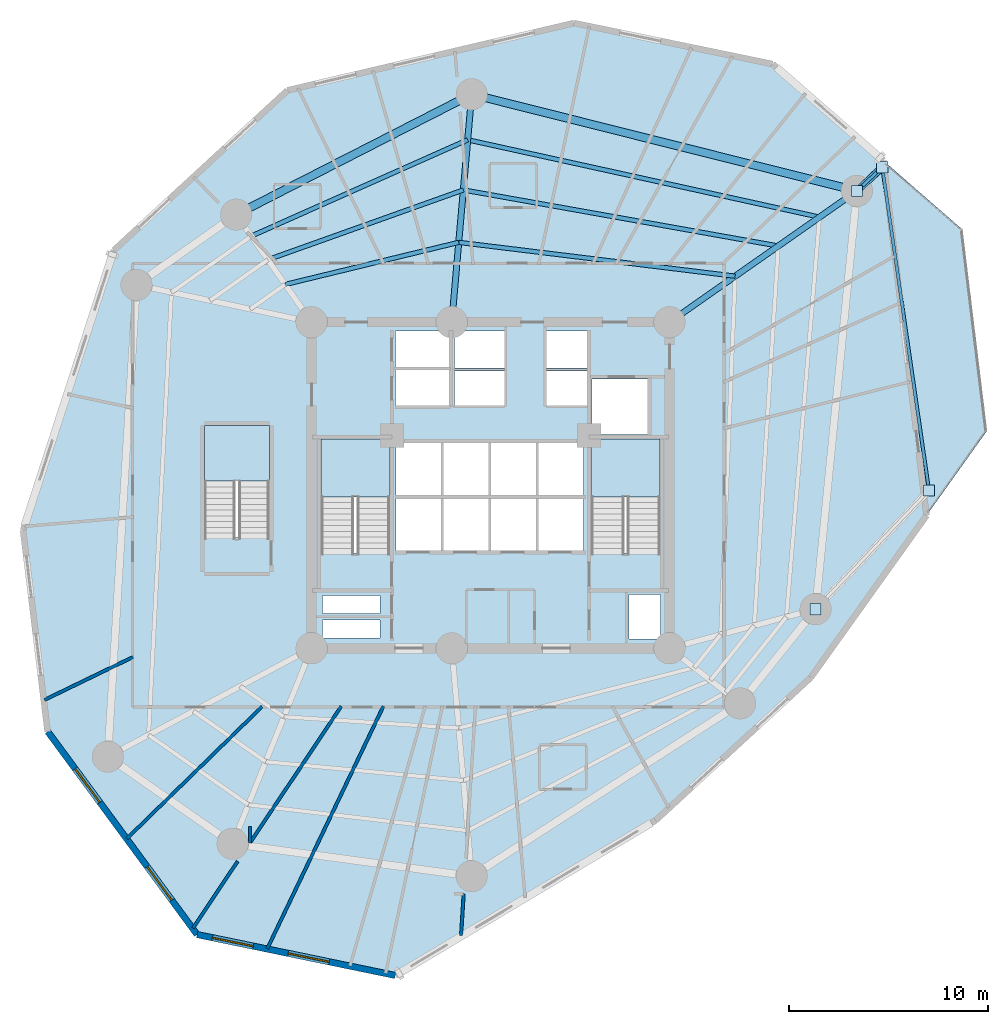
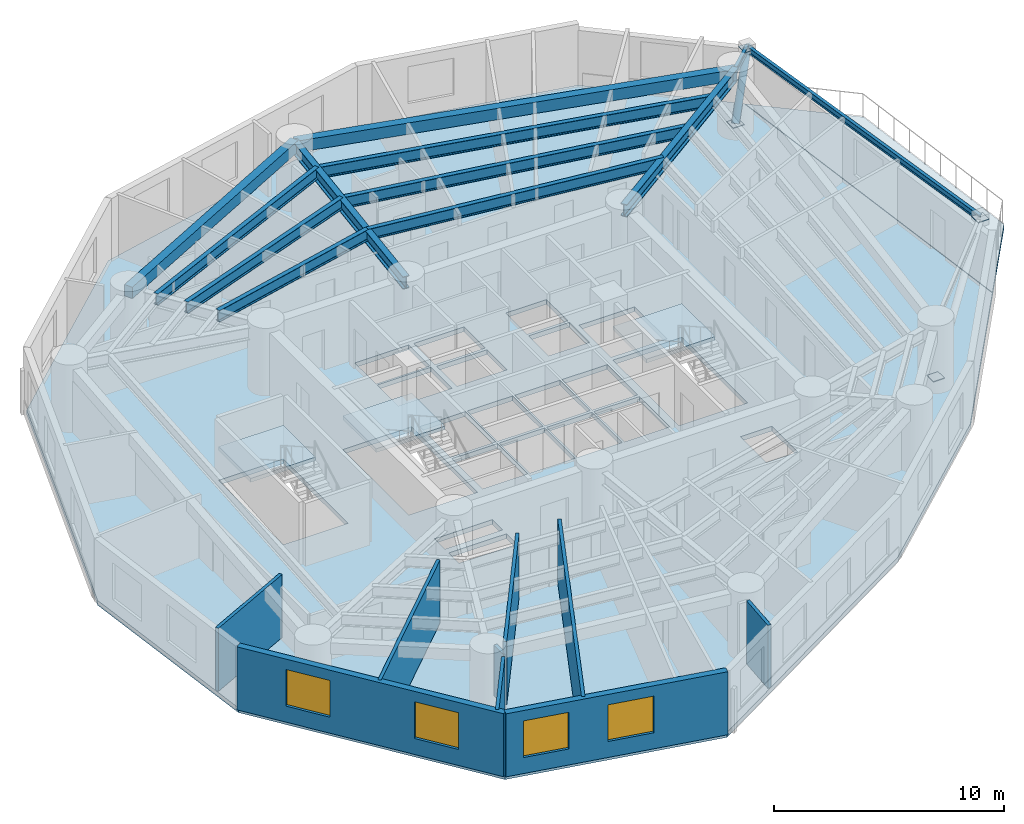
# One storey, part 2 of 10: 12 beams, 9 walls, 5 slabs, 4 plates, 4 windows, 1 member, 4 openings, 3 elements without a shape of their own.
"""IFC4 building model written with IfcOpenShell, lengths in metres."""

from ifc_helpers import new_model, si_unit, direction, frame, frame_2d, origin, origin_with_axes, origin_2d, place, context, subcontext, project, spatial, polyline, rectangle, hollow_circle, i_section, outline, extrude, source, transform, mapped, material, layer, layer_set, material_profile, profile_set, type_object, element, fill, aggregate, save


model = new_model("IFC4")

# Units and contexts
model_context = context("Model", 3, precision=1e-05, world=origin(), true_north=direction((0.0, 1.0)))
body_context = subcontext(model_context, "Body", "Model", "MODEL_VIEW")
ifc_project = project(units=[si_unit("LENGTHUNIT", "METRE"), si_unit("AREAUNIT", "SQUARE_METRE"), si_unit("VOLUMEUNIT", "CUBIC_METRE"), si_unit("PLANEANGLEUNIT", "RADIAN"), si_unit("MASSUNIT", "GRAM", prefix="KILO")], contexts=[model_context])

# Site, building, storey
site_placement = place(None, origin())
site = spatial("IfcSite", under=ifc_project, at=site_placement, CompositionType="ELEMENT")
building_placement = place(site_placement, origin())
building = spatial("IfcBuilding", under=site, at=building_placement, Name="Karkom Vertical University and Central Library", CompositionType="ELEMENT")
storey_placement = place(building_placement, frame((0.0, 0.0, 66.10009765625)))
storey = spatial("IfcBuildingStorey", under=building, at=storey_placement, Name="L17", CompositionType="ELEMENT", Elevation=66.10009765625)

# Beams
ifc_material_1 = material(Name="Steel S355", Category="steel")
ifc_material_profile_1 = material_profile(ifc_material_1, i_section(OverallWidth=0.300048828125, OverallDepth=0.64990234375, WebThickness=0.01611328125, FlangeThickness=0.031005859375, FilletRadius=0.027099609375, at=origin_2d()), Name="HE 650 B")
ifc_profile_set_1 = profile_set([ifc_material_profile_1], Name="Steel S355")
beam_type_1 = type_object("IfcBeamType", Name="STR-BM-SB-HE650", PredefinedType="USERDEFINED", material=ifc_profile_set_1)
shared_shape_1 = source(origin_with_axes(), body_context, "Body", "SweptSolid", [
    extrude(i_section(OverallWidth=0.300048828125, OverallDepth=0.64990234375, WebThickness=0.01611328125, FlangeThickness=0.031005859375, FilletRadius=0.027099609375, at=origin_2d()), origin(), (0.0, 0.0, 1.0), 11.49951171875),
])
beam_1_placement = place(storey_placement, frame((37.5, 34.699951171875, 3.02490234375), z_axis=(0.81915012564, 0.573579176457, 0.0), x_axis=(-0.573579176457, 0.81915012564, 0.0)))
element("IfcBeam", 1, at=beam_1_placement, inside=storey, type_object=beam_type_1, Name="Level 17 Radial Frame Girder 02", ObjectType="GIRDER", PredefinedType="USERDEFINED", context=body_context, shape_type="MappedRepresentation", body=[
    mapped(shared_shape_1, transform((0.0, 0.0, 0.0), scale=1.0)),
])
shared_shape_2 = source(origin_with_axes(), body_context, "Body", "SweptSolid", [
    extrude(i_section(OverallWidth=0.300048828125, OverallDepth=0.64990234375, WebThickness=0.01611328125, FlangeThickness=0.031005859375, FilletRadius=0.027099609375, at=origin_2d()), origin(), (0.0, 0.0, 1.0), 11.499755859375),
])
beam_2_placement = place(storey_placement, frame((26.550048828125, 34.699951171875, 3.02490234375), z_axis=(0.087127973109, 0.99619712723, 0.0), x_axis=(-0.99619712723, 0.087127973109, 0.0)))
element("IfcBeam", 2, at=beam_2_placement, inside=storey, type_object=beam_type_1, Name="Level 17 Radial Frame Girder 03", ObjectType="GIRDER", PredefinedType="USERDEFINED", context=body_context, shape_type="MappedRepresentation", body=[
    mapped(shared_shape_2, transform((0.0, 0.0, 0.0), scale=1.0)),
])
ifc_material_2 = material(Name="Precast concrete C45/55", Category="concrete")
ifc_material_profile_2 = material_profile(ifc_material_2, rectangle(XDim=0.39990234375, YDim=0.60009765625, at=origin_2d()), Name="SPB-400x600")
ifc_profile_set_2 = profile_set([ifc_material_profile_2], Name="Precast concrete C45/55")
beam_type_2 = type_object("IfcBeamType", Name="STR-BM-SP-1", PredefinedType="SPANDREL", material=ifc_profile_set_2)
shared_shape_3 = source(origin_with_axes(), body_context, "Body", "SweptSolid", [
    extrude(rectangle(XDim=0.39990234375, YDim=0.60009765625, at=origin_2d()), origin(), (0.0, 0.0, 1.0), 19.968505859375),
])
beam_3_placement = place(storey_placement, frame((46.919921875, 41.2958984375, 3.0498046875), z_axis=(-0.969928522391, 0.243389937039, 0.0), x_axis=(-0.243389937039, -0.969928522391, 0.0)))
element("IfcBeam", 3, at=beam_3_placement, inside=storey, type_object=beam_type_2, Name="Level 17 Perimeter Spandrel Beam 02", PredefinedType="SPANDREL", context=body_context, shape_type="MappedRepresentation", body=[
    mapped(shared_shape_3, transform((0.0, 0.0, 0.0), scale=1.0)),
])
shared_shape_4 = source(origin_with_axes(), body_context, "Body", "SweptSolid", [
    extrude(rectangle(XDim=0.39990234375, YDim=0.60009765625, at=origin_2d()), origin(), (0.0, 0.0, 1.0), 13.29443359375),
])
beam_4_placement = place(storey_placement, frame((27.552001953125, 46.156005859375, 3.0498046875), z_axis=(-0.890447746793, -0.455085497716, 0.0), x_axis=(0.455085497716, -0.890447746793, 0.0)))
element("IfcBeam", 4, at=beam_4_placement, inside=storey, type_object=beam_type_2, Name="Level 17 Perimeter Spandrel Beam 03", PredefinedType="SPANDREL", context=body_context, shape_type="MappedRepresentation", body=[
    mapped(shared_shape_4, transform((0.0, 0.0, 0.0), scale=1.0)),
])
ifc_material_profile_3 = material_profile(ifc_material_1, i_section(OverallWidth=0.219970703125, OverallDepth=0.60009765625, WebThickness=0.011962890625, FlangeThickness=0.01904296875, FilletRadius=0.02392578125, at=origin_2d()), Name="IPE 600")
ifc_profile_set_3 = profile_set([ifc_material_profile_3], Name="Steel S355")
beam_type_3 = type_object("IfcBeamType", Name="STR-BM-SB-IPE600", PredefinedType="BEAM", material=ifc_profile_set_3)
shared_shape_5 = source(origin_with_axes(), body_context, "Body", "SweptSolid", [
    extrude(i_section(OverallWidth=0.219970703125, OverallDepth=0.60009765625, WebThickness=0.011962890625, FlangeThickness=0.01904296875, FilletRadius=0.02392578125, at=origin_2d()), origin(), (0.0, 0.0, 1.0), 14.000244140625),
])
beam_5_placement = place(storey_placement, frame((40.797119140625, 37.008544921875, 3.0498046875), z_axis=(-0.992590166403, 0.121510335198, 0.0), x_axis=(-0.121510335198, -0.992590166403, 0.0)))
element("IfcBeam", 5, at=beam_5_placement, inside=storey, type_object=beam_type_3, Name="Level 17 Secondary Composite Floor Beam 1.02", PredefinedType="BEAM", context=body_context, shape_type="MappedRepresentation", body=[
    mapped(shared_shape_5, transform((0.0, 0.0, 0.0), scale=1.0)),
])
shared_shape_6 = source(origin_with_axes(), body_context, "Body", "SweptSolid", [
    extrude(i_section(OverallWidth=0.219970703125, OverallDepth=0.60009765625, WebThickness=0.011962890625, FlangeThickness=0.01904296875, FilletRadius=0.02392578125, at=origin_2d()), origin(), (0.0, 0.0, 1.0), 8.97900390625),
])
beam_6_placement = place(storey_placement, frame((26.900634765625, 38.709716796875, 3.0498046875), z_axis=(-0.971790837509, -0.235844372697, 0.0), x_axis=(0.235844372697, -0.971790837509, 0.0)))
element("IfcBeam", 6, at=beam_6_placement, inside=storey, type_object=beam_type_3, Name="Level 17 Secondary Composite Floor Beam 1.03", PredefinedType="BEAM", context=body_context, shape_type="MappedRepresentation", body=[
    mapped(shared_shape_6, transform((0.0, 0.0, 0.0), scale=1.0)),
])
shared_shape_7 = source(origin_with_axes(), body_context, "Body", "SweptSolid", [
    extrude(i_section(OverallWidth=0.219970703125, OverallDepth=0.60009765625, WebThickness=0.011962890625, FlangeThickness=0.01904296875, FilletRadius=0.02392578125, at=origin_2d()), origin(), (0.0, 0.0, 1.0), 16.08154296875),
])
beam_7_placement = place(storey_placement, frame((42.963623046875, 38.525634765625, 3.0498046875), z_axis=(-0.984517708807, 0.175285142111, 0.0), x_axis=(-0.175285142111, -0.984517708807, 0.0)))
element("IfcBeam", 7, at=beam_7_placement, inside=storey, type_object=beam_type_3, Name="Level 17 Secondary Composite Floor Beam 2.02", PredefinedType="BEAM", context=body_context, shape_type="MappedRepresentation", body=[
    mapped(shared_shape_7, transform((0.0, 0.0, 0.0), scale=1.0)),
])
shared_shape_8 = source(origin_with_axes(), body_context, "Body", "SweptSolid", [
    extrude(i_section(OverallWidth=0.219970703125, OverallDepth=0.60009765625, WebThickness=0.011962890625, FlangeThickness=0.01904296875, FilletRadius=0.02392578125, at=origin_2d()), origin(), (0.0, 0.0, 1.0), 10.4345703125),
])
beam_8_placement = place(storey_placement, frame((27.131103515625, 41.344482421875, 3.0498046875), z_axis=(-0.941759378798, -0.336287484819, 0.0), x_axis=(0.336287484819, -0.941759378798, 0.0)))
element("IfcBeam", 8, at=beam_8_placement, inside=storey, type_object=beam_type_3, Name="Level 17 Secondary Composite Floor Beam 2.03", PredefinedType="BEAM", context=body_context, shape_type="MappedRepresentation", body=[
    mapped(shared_shape_8, transform((0.0, 0.0, 0.0), scale=1.0)),
])
shared_shape_9 = source(origin_with_axes(), body_context, "Body", "SweptSolid", [
    extrude(i_section(OverallWidth=0.219970703125, OverallDepth=0.60009765625, WebThickness=0.011962890625, FlangeThickness=0.01904296875, FilletRadius=0.02392578125, at=origin_2d()), origin(), (0.0, 0.0, 1.0), 18.106689453125),
])
beam_9_placement = place(storey_placement, frame((45.035888671875, 39.976806640625, 3.0498046875), z_axis=(-0.976674731786, 0.214724167926, 0.0), x_axis=(-0.214724167926, -0.976674731786, 0.0)))
element("IfcBeam", 9, at=beam_9_placement, inside=storey, type_object=beam_type_3, Name="Level 17 Secondary Composite Floor Beam 3.02", PredefinedType="BEAM", context=body_context, shape_type="MappedRepresentation", body=[
    mapped(shared_shape_9, transform((0.0, 0.0, 0.0), scale=1.0)),
])
shared_shape_10 = source(origin_with_axes(), body_context, "Body", "SweptSolid", [
    extrude(i_section(OverallWidth=0.219970703125, OverallDepth=0.60009765625, WebThickness=0.011962890625, FlangeThickness=0.01904296875, FilletRadius=0.02392578125, at=origin_2d()), origin(), (0.0, 0.0, 1.0), 11.908203125),
])
beam_10_placement = place(storey_placement, frame((27.3515625, 43.86474609375, 3.0498046875), z_axis=(-0.913682996781, -0.406427584441, 0.0), x_axis=(0.406427584441, -0.913682996781, 0.0)))
element("IfcBeam", 10, at=beam_10_placement, inside=storey, type_object=beam_type_3, Name="Level 17 Secondary Composite Floor Beam 3.03", PredefinedType="BEAM", context=body_context, shape_type="MappedRepresentation", body=[
    mapped(shared_shape_10, transform((0.0, 0.0, 0.0), scale=1.0)),
])
ifc_material_profile_4 = material_profile(ifc_material_1, i_section(OverallWidth=0.159912109375, OverallDepth=0.330078125, WebThickness=0.007568359375, FlangeThickness=0.011474609375, FilletRadius=0.01806640625, at=origin_2d()), Name="IPE 330")
ifc_profile_set_4 = profile_set([ifc_material_profile_4], Name="Steel S355")
beam_type_4 = type_object("IfcBeamType", Name="STR-BM-SB-IPE330", PredefinedType="BEAM", material=ifc_profile_set_4)
shared_shape_11 = source(origin_with_axes(), body_context, "Body", "SweptSolid", [
    extrude(i_section(OverallWidth=0.159912109375, OverallDepth=0.330078125, WebThickness=0.007568359375, FlangeThickness=0.011474609375, FilletRadius=0.01806640625, at=origin_2d()), origin(), (0.0, 0.0, 1.0), 1.7421875),
])
beam_11_placement = place(storey_placement, frame((46.919921875, 41.2958984375, 3.184814453125), z_axis=(0.729851787541, 0.683605418515, 0.0), x_axis=(-0.683605418515, 0.729851787541, 0.0)))
element("IfcBeam", 11, at=beam_11_placement, inside=storey, type_object=beam_type_4, Name="Level 17 Sky Garden Outrigger Support Beam 2", PredefinedType="BEAM", context=body_context, shape_type="MappedRepresentation", body=[
    mapped(shared_shape_11, transform((0.0, 0.0, 0.0), scale=1.0)),
])

# Member
ifc_material_profile_5 = material_profile(ifc_material_1, hollow_circle(Radius=0.177734375, WallThickness=0.01611328125, at=origin_2d()), Name="CHS 355.6x16")
ifc_profile_set_5 = profile_set([ifc_material_profile_5], Name="Steel S355")
member_type = type_object("IfcMemberType", Name="STR-MEM-BR-3", PredefinedType="BRACE", material=ifc_profile_set_5)
shared_shape_12 = source(origin_with_axes(), body_context, "Body", "SweptSolid", [
    extrude(hollow_circle(Radius=0.177734375, WallThickness=0.01611328125, at=origin_2d()), origin(), (0.0, 0.0, 1.0), 3.327392578125),
])
member_placement = place(storey_placement, frame((46.919921875, 41.2958984375, 0.349853515625), z_axis=(0.382119095734, 0.357906480221, 0.851990579813), x_axis=(-0.683605418515, 0.729851787541, 0.0)))
element("IfcMember", 12, at=member_placement, inside=storey, type_object=member_type, Name="Level 17 Sky Garden Knee Strut Brace 2", PredefinedType="BRACE", context=body_context, shape_type="MappedRepresentation", body=[
    mapped(shared_shape_12, transform((0.0, 0.0, 0.0), scale=1.0)),
])

# Beam
shared_shape_13 = source(origin_with_axes(), body_context, "Body", "SweptSolid", [
    extrude(i_section(OverallWidth=0.159912109375, OverallDepth=0.330078125, WebThickness=0.007568359375, FlangeThickness=0.011474609375, FilletRadius=0.01806640625, at=origin_2d()), origin(), (0.0, 0.0, 1.0), 16.414306640625),
])
beam_12_placement = place(storey_placement, frame((50.5419921875, 26.24169921875, 3.184814453125), z_axis=(-0.143203586255, 0.989693251914, 0.0), x_axis=(-0.989693251914, -0.143203586255, 0.0)))
element("IfcBeam", 13, at=beam_12_placement, inside=storey, type_object=beam_type_4, Name="Level 17 Sky Garden Perimeter Edge Beam", PredefinedType="BEAM", context=body_context, shape_type="MappedRepresentation", body=[
    mapped(shared_shape_13, transform((0.0, 0.0, 0.0), scale=1.0)),
])

# Stair, slab
ifc_material_3 = material(Name="Concrete C45/55", Category="concrete")
stair_type_1 = type_object("IfcStairType", Name="INT-STR-ST-MAIN", PredefinedType="HALF_TURN_STAIR", material=ifc_material_3)
stair_1_placement = place(storey_placement, origin())
stair_1 = element("IfcStair", 14, at=stair_1_placement, inside=storey, type_object=stair_type_1, Name="Level 17 Tower Protected Exit Stair ST-1", PredefinedType="HALF_TURN_STAIR")
ifc_layer_1 = layer(ifc_material_3, 0.199951171875)
ifc_layer_set_1 = layer_set([ifc_layer_1], Name="Concrete C45/55")
slab_type_1 = type_object("IfcSlabType", Name="INT-SLB-LANDING", PredefinedType="LANDING", material=ifc_layer_set_1)
slab_1_placement = place(storey_placement, frame((0.0, 0.0, 1.599853515625)))
slab_1 = element("IfcSlab", 15, at=slab_1_placement, type_object=slab_type_1, Name="ST-1 landing 1", PredefinedType="LANDING", context=body_context, shape_type="SweptSolid", body=[
    extrude(outline(polyline([(23.43994140625, 25.919921875), (23.43994140625, 28.820068359375), (19.97998046875, 28.820068359375), (19.97998046875, 25.919921875), (23.43994140625, 25.919921875)])), origin(), (0.0, 0.0, 1.0), 0.199951171875),
])
aggregate(stair_1, [slab_1])

stair_2_placement = place(storey_placement, origin())
stair_2 = element("IfcStair", 16, at=stair_2_placement, inside=storey, type_object=stair_type_1, Name="Level 17 Tower Protected Exit Stair ST-2", PredefinedType="HALF_TURN_STAIR")
slab_2_placement = place(storey_placement, frame((0.0, 0.0, 1.599853515625)))
slab_2 = element("IfcSlab", 17, at=slab_2_placement, type_object=slab_type_1, Name="ST-2 landing 1", PredefinedType="LANDING", context=body_context, shape_type="SweptSolid", body=[
    extrude(outline(polyline([(37.02001953125, 25.919921875), (37.02001953125, 28.820068359375), (33.56005859375, 28.820068359375), (33.56005859375, 25.919921875), (37.02001953125, 25.919921875)])), origin(), (0.0, 0.0, 1.0), 0.199951171875),
])
aggregate(stair_2, [slab_2])

stair_type_2 = type_object("IfcStairType", Name="INT-STR-ST-SEC", PredefinedType="HALF_TURN_STAIR", material=ifc_material_3)
stair_3_placement = place(storey_placement, origin())
stair_3 = element("IfcStair", 18, at=stair_3_placement, inside=storey, type_object=stair_type_2, Name="Level 17 Academic Zone Protected Exit Stair ST-3", PredefinedType="HALF_TURN_STAIR")
slab_3_placement = place(storey_placement, frame((0.0, 0.0, 1.599853515625)))
slab_3 = element("IfcSlab", 19, at=slab_3_placement, type_object=slab_type_1, Name="ST-3 landing 1", PredefinedType="LANDING", context=body_context, shape_type="SweptSolid", body=[
    extrude(outline(polyline([(17.3798828125, 26.699951171875), (17.3798828125, 29.5), (14.1201171875, 29.5), (14.1201171875, 26.699951171875), (17.3798828125, 26.699951171875)])), origin(), (0.0, 0.0, 1.0), 0.199951171875),
])
aggregate(stair_3, [slab_3])

# Slabs
ifc_layer_2 = layer(ifc_material_3, 0.25)
ifc_layer_set_2 = layer_set([ifc_layer_2], Name="Concrete C45/55")
slab_type_2 = type_object("IfcSlabType", Name="STR-SLB-FLR-250", PredefinedType="FLOOR", material=ifc_layer_set_2)
slab_4_placement = place(storey_placement, frame((0.0, 0.0, -0.25)))
element("IfcSlab", 20, at=slab_4_placement, inside=storey, type_object=slab_type_2, Name="Level 17 Tower Structural Floor Slab", PredefinedType="FLOOR", context=body_context, shape_type="SweptSolid", body=[
    extrude(outline(polyline([(9.558837890625, 38.305908203125), (5.002685546875, 24.234375), (6.234619140625, 14.114013671875), (13.746826171875, 3.90625), (23.7099609375, 1.85009765625), (36.804443359375, 9.657470703125), (44.60205078125, 16.837890625), (50.41455078125, 24.97900390625), (48.24267578125, 42.81982421875), (42.676025390625, 47.670654296875), (32.69140625, 49.731201171875), (18.292724609375, 46.348388671875), (9.558837890625, 38.305908203125)]), holes=[polyline([(19.97998046875, 23.0849609375), (23.43994140625, 23.0849609375), (23.43994140625, 28.820068359375), (19.97998046875, 28.820068359375), (19.97998046875, 23.0849609375)]), polyline([(33.56005859375, 23.0849609375), (37.02001953125, 23.0849609375), (37.02001953125, 28.820068359375), (33.56005859375, 28.820068359375), (33.56005859375, 23.0849609375)]), polyline([(14.1201171875, 23.864990234375), (17.3798828125, 23.864990234375), (17.3798828125, 29.5), (14.1201171875, 29.5), (14.1201171875, 23.864990234375)]), polyline([(23.75, 23.199951171875), (26.030029296875, 23.199951171875), (26.030029296875, 25.85009765625), (23.75, 25.85009765625), (23.75, 23.199951171875)]), polyline([(26.1298828125, 23.199951171875), (28.409912109375, 23.199951171875), (28.409912109375, 25.85009765625), (26.1298828125, 25.85009765625), (26.1298828125, 23.199951171875)]), polyline([(28.510009765625, 23.199951171875), (30.7900390625, 23.199951171875), (30.7900390625, 25.85009765625), (28.510009765625, 25.85009765625), (28.510009765625, 23.199951171875)]), polyline([(30.889892578125, 23.199951171875), (33.169921875, 23.199951171875), (33.169921875, 25.85009765625), (30.889892578125, 25.85009765625), (30.889892578125, 23.199951171875)]), polyline([(23.75, 26.0), (26.030029296875, 26.0), (26.030029296875, 28.64990234375), (23.75, 28.64990234375), (23.75, 26.0)]), polyline([(26.1298828125, 26.0), (28.409912109375, 26.0), (28.409912109375, 28.64990234375), (26.1298828125, 28.64990234375), (26.1298828125, 26.0)]), polyline([(28.510009765625, 26.0), (30.7900390625, 26.0), (30.7900390625, 28.64990234375), (28.510009765625, 28.64990234375), (28.510009765625, 26.0)]), polyline([(30.889892578125, 26.0), (33.169921875, 26.0), (33.169921875, 28.64990234375), (30.889892578125, 28.64990234375), (30.889892578125, 26.0)]), polyline([(26.679931640625, 30.5), (29.199951171875, 30.5), (29.199951171875, 32.25), (26.679931640625, 32.25), (26.679931640625, 30.5)]), polyline([(26.679931640625, 32.39990234375), (29.199951171875, 32.39990234375), (29.199951171875, 34.25), (26.679931640625, 34.25), (26.679931640625, 32.39990234375)]), polyline([(31.300048828125, 30.5), (33.35009765625, 30.5), (33.35009765625, 32.25), (31.300048828125, 32.25), (31.300048828125, 30.5)]), polyline([(31.300048828125, 32.39990234375), (33.35009765625, 32.39990234375), (33.35009765625, 34.25), (31.300048828125, 34.25), (31.300048828125, 32.39990234375)]), polyline([(23.719970703125, 30.47998046875), (26.429931640625, 30.47998046875), (26.429931640625, 32.320068359375), (23.719970703125, 32.320068359375), (23.719970703125, 30.47998046875)]), polyline([(23.719970703125, 32.419921875), (26.429931640625, 32.419921875), (26.429931640625, 34.260009765625), (23.719970703125, 34.260009765625), (23.719970703125, 32.419921875)]), polyline([(33.60009765625, 29.050048828125), (36.39990234375, 29.050048828125), (36.39990234375, 31.85009765625), (33.60009765625, 31.85009765625), (33.60009765625, 29.050048828125)]), polyline([(20.050048828125, 18.820068359375), (22.949951171875, 18.820068359375), (22.949951171875, 19.719970703125), (20.050048828125, 19.719970703125), (20.050048828125, 18.820068359375)]), polyline([(20.050048828125, 20.06005859375), (22.949951171875, 20.06005859375), (22.949951171875, 20.9599609375), (20.050048828125, 20.9599609375), (20.050048828125, 20.06005859375)]), polyline([(35.4599609375, 18.760009765625), (37.0400390625, 18.760009765625), (37.0400390625, 21.010009765625), (35.4599609375, 21.010009765625), (35.4599609375, 18.760009765625)])]), origin(), (0.0, 0.0, 1.0), 0.25),
])
ifc_layer_3 = layer(ifc_material_3, 0.199951171875)
ifc_layer_set_3 = layer_set([ifc_layer_3], Name="Concrete C45/55")
slab_type_3 = type_object("IfcSlabType", Name="STR-SLB-PLN-260", PredefinedType="USERDEFINED", material=ifc_layer_set_3)
slab_5_placement = place(storey_placement, frame((0.0, 0.0, -0.25)))
element("IfcSlab", 21, at=slab_5_placement, inside=storey, type_object=slab_type_3, Name="Level 17 Spiral Sky Garden Planter Terrace", ObjectType="PLANTER", PredefinedType="USERDEFINED", context=body_context, shape_type="SweptSolid", body=[
    extrude(outline(polyline([(52.231201171875, 39.343994140625), (53.460693359375, 29.245361328125), (50.431640625, 25.003173828125), (48.26513671875, 42.80029296875), (52.231201171875, 39.343994140625)])), origin(), (0.0, 0.0, 1.0), 0.25),
])

# Plates
ifc_layer_4 = layer(ifc_material_1, 0.028076171875)
ifc_layer_set_4 = layer_set([ifc_layer_4], Name="Steel S355")
plate_type = type_object("IfcPlateType", Name="STR-PLT-GP-2", PredefinedType="USERDEFINED", material=ifc_layer_set_4)
shared_shape_14 = source(origin_with_axes(), body_context, "Body", "SweptSolid", [
    extrude(rectangle(XDim=0.56005859375, YDim=0.56005859375, at=origin_2d()), origin(), (0.0, 0.0, 1.0), 0.028076171875),
])
for number, where, z_axis, x_axis, name in (
    (22, (44.841064453125, 20.26708984375, 0.3359375), (0.0, 0.0, 1.0), (1.0, 0.0, 0.0), "Level 17 Node Gusset Cap Plate L17-SKG-KNEE-1 A"),
    (23, (50.5419921875, 26.24169921875, 3.1708984375), (0.0, 0.0, 1.0), (1.0, 0.0, 0.0), "Level 17 Node Gusset Cap Plate L17-SKG-KNEE-1 B"),
    (24, (46.919921875, 41.2958984375, 0.3359375), (0.0, 0.0, 1.0), (1.0, 0.0, 0.0), "Level 17 Node Gusset Cap Plate L17-SKG-KNEE-2 A"),
    (25, (48.19140625, 42.48681640625, 3.1708984375), (0.0, 0.0, 1.0), (1.0, 0.0, 0.0), "Level 17 Node Gusset Cap Plate L17-SKG-KNEE-2 B"),
):
    element("IfcPlate", number, at=place(storey_placement, frame(where, z_axis=z_axis, x_axis=x_axis)), inside=storey, type_object=plate_type, Name=name, ObjectType="GUSSET PLATE", PredefinedType="USERDEFINED", context=body_context, shape_type="MappedRepresentation", body=[
        mapped(shared_shape_14, transform((0.0, 0.0, 0.0), scale=1.0)),
    ])

# Wall, openings, windows
ifc_material_4 = material(Name="Brick-faced precast concrete C45/55", Category="masonry")
ifc_layer_5 = layer(ifc_material_4, 0.320068359375)
ifc_layer_set_5 = layer_set([ifc_layer_5], Name="Brick-faced precast concrete C45/55")
wall_type_1 = type_object("IfcWallType", Name="ENV-WL-BRK-320", PredefinedType="SOLIDWALL", material=ifc_layer_set_5)
wall_1_placement = place(storey_placement, frame((6.234619140625, 14.114013671875, 0.0), z_axis=(0.0, 0.0, 1.0), x_axis=(0.59272320353, -0.805406235385, 0.0)))
wall_1 = element("IfcWall", 26, at=wall_1_placement, inside=storey, type_object=wall_type_1, Name="Level 17 Brick-Faced Precast Facade Wall 03", PredefinedType="SOLIDWALL", context=body_context, shape_type="SweptSolid", body=[
    extrude(rectangle(XDim=12.674072265625, YDim=0.320068359375, at=frame_2d((6.3369140625, 0.0))), origin(), (0.0, 0.0, 1.0), 3.349853515625),
])
opening_1_placement = place(wall_1_placement, frame((2.323486328125, 0.0, 0.85009765625)))
opening_1 = element("IfcOpeningElement", 27, at=opening_1_placement, cuts=wall_1, Name="Opening WN-03", PredefinedType="OPENING", context=body_context, shape_type="SweptSolid", body=[
    extrude(rectangle(XDim=2.10009765625, YDim=1.949951171875, at=frame_2d((1.050048828125, 0.97509765625))), frame((0.0, 0.169921875, 0.0), z_axis=(0.0, -1.0, 0.0), x_axis=(1.0, 0.0, 0.0)), (0.0, 0.0, 1.0), 0.340087890625),
])
opening_2_placement = place(wall_1_placement, frame((8.4306640625, 0.0, 0.85009765625)))
opening_2 = element("IfcOpeningElement", 28, at=opening_2_placement, cuts=wall_1, Name="Opening WN-03", PredefinedType="OPENING", context=body_context, shape_type="SweptSolid", body=[
    extrude(rectangle(XDim=2.10009765625, YDim=1.949951171875, at=frame_2d((1.050048828125, 0.97509765625))), frame((0.0, 0.169921875, 0.0), z_axis=(0.0, -1.0, 0.0), x_axis=(1.0, 0.0, 0.0)), (0.0, 0.0, 1.0), 0.340087890625),
])
ifc_material_5 = material(Name="Aluminium thermal-break frame with solar-control IGU", Category="aluminium")
window_type = type_object("IfcWindowType", Name="ENV-WIN-WN-03", PartitioningType="SINGLE_PANEL", PredefinedType="WINDOW", material=ifc_material_5)
shared_shape_15 = source(origin_with_axes(), body_context, "Body", "SweptSolid", [
    extrude(rectangle(XDim=2.10009765625, YDim=1.949951171875, at=frame_2d((1.050048828125, 0.97509765625))), frame((0.0, 0.030029296875, 0.0), z_axis=(0.0, -1.0, 0.0), x_axis=(1.0, 0.0, 0.0)), (0.0, 0.0, 1.0), 0.06005859375),
])
window_1_placement = place(opening_1_placement, origin())
window_1 = element("IfcWindow", 29, at=window_1_placement, inside=storey, type_object=window_type, Name="Level 17 Punched Window 3.1", OverallHeight=1.949951171875, OverallWidth=2.10009765625, PartitioningType="SINGLE_PANEL", PredefinedType="WINDOW", context=body_context, shape_type="MappedRepresentation", body=[
    mapped(shared_shape_15, transform((0.0, 0.0, 0.0), scale=1.0)),
])
fill(opening_1, window_1)
window_2_placement = place(opening_2_placement, origin())
window_2 = element("IfcWindow", 30, at=window_2_placement, inside=storey, type_object=window_type, Name="Level 17 Punched Window 3.2", OverallHeight=1.949951171875, OverallWidth=2.10009765625, PartitioningType="SINGLE_PANEL", PredefinedType="WINDOW", context=body_context, shape_type="MappedRepresentation", body=[
    mapped(shared_shape_15, transform((0.0, 0.0, 0.0), scale=1.0)),
])
fill(opening_2, window_2)

wall_2_placement = place(storey_placement, frame((13.746826171875, 3.90625, 0.0), z_axis=(0.0, 0.0, 1.0), x_axis=(0.979361436672, -0.202116739436, 0.0)))
wall_2 = element("IfcWall", 31, at=wall_2_placement, inside=storey, type_object=wall_type_1, Name="Level 17 Brick-Faced Precast Facade Wall 04", PredefinedType="SOLIDWALL", context=body_context, shape_type="SweptSolid", body=[
    extrude(rectangle(XDim=10.173095703125, YDim=0.320068359375, at=frame_2d((5.08642578125, 0.0))), origin(), (0.0, 0.0, 1.0), 3.349853515625),
])
opening_3_placement = place(wall_2_placement, frame((0.783935546875, 0.0, 0.85009765625)))
opening_3 = element("IfcOpeningElement", 32, at=opening_3_placement, cuts=wall_2, Name="Opening WN-03", PredefinedType="OPENING", context=body_context, shape_type="SweptSolid", body=[
    extrude(rectangle(XDim=2.10009765625, YDim=1.949951171875, at=frame_2d((1.050048828125, 0.97509765625))), frame((0.0, 0.169921875, 0.0), z_axis=(0.0, -1.0, 0.0), x_axis=(1.0, 0.0, 0.0)), (0.0, 0.0, 1.0), 0.340087890625),
])
opening_4_placement = place(wall_2_placement, frame((4.67919921875, 0.0, 0.85009765625)))
opening_4 = element("IfcOpeningElement", 33, at=opening_4_placement, cuts=wall_2, Name="Opening WN-03", PredefinedType="OPENING", context=body_context, shape_type="SweptSolid", body=[
    extrude(rectangle(XDim=2.10009765625, YDim=1.949951171875, at=frame_2d((1.050048828125, 0.97509765625))), frame((0.0, 0.169921875, 0.0), z_axis=(0.0, -1.0, 0.0), x_axis=(1.0, 0.0, 0.0)), (0.0, 0.0, 1.0), 0.340087890625),
])
window_3_placement = place(opening_3_placement, origin())
window_3 = element("IfcWindow", 34, at=window_3_placement, inside=storey, type_object=window_type, Name="Level 17 Punched Window 4.1", OverallHeight=1.949951171875, OverallWidth=2.10009765625, PartitioningType="SINGLE_PANEL", PredefinedType="WINDOW", context=body_context, shape_type="MappedRepresentation", body=[
    mapped(shared_shape_15, transform((0.0, 0.0, 0.0), scale=1.0)),
])
fill(opening_3, window_3)
window_4_placement = place(opening_4_placement, origin())
window_4 = element("IfcWindow", 35, at=window_4_placement, inside=storey, type_object=window_type, Name="Level 17 Punched Window 4.2", OverallHeight=1.949951171875, OverallWidth=2.10009765625, PartitioningType="SINGLE_PANEL", PredefinedType="WINDOW", context=body_context, shape_type="MappedRepresentation", body=[
    mapped(shared_shape_15, transform((0.0, 0.0, 0.0), scale=1.0)),
])
fill(opening_4, window_4)

# Walls
ifc_material_6 = material(Name="Insulated metal-stud drywall 160mm", Category="gypsum")
ifc_layer_6 = layer(ifc_material_6, 0.159912109375)
ifc_layer_set_6 = layer_set([ifc_layer_6], Name="Insulated metal-stud drywall 160mm")
wall_type_2 = type_object("IfcWallType", Name="INT-WL-COR-160", PredefinedType="PARTITIONING", material=ifc_layer_set_6)
wall_3_placement = place(storey_placement, frame((23.113037109375, 15.390625, 0.0), z_axis=(0.0, 0.0, 1.0), x_axis=(-0.431926675658, -0.901908724237, 0.0)))
element("IfcWall", 36, at=wall_3_placement, inside=storey, type_object=wall_type_2, Name="Level 17 Interior Partition Wall L17-PW-007", PredefinedType="PARTITIONING", context=body_context, shape_type="SweptSolid", body=[
    extrude(rectangle(XDim=13.5107421875, YDim=0.159912109375, at=frame_2d((6.75537109375, 0.0))), origin(), (0.0, 0.0, 1.0), 3.349853515625),
])
wall_4_placement = place(storey_placement, frame((17.014404296875, 15.37109375, 0.0), z_axis=(0.0, 0.0, 1.0), x_axis=(-0.715555534785, -0.698555850765, 0.0)))
element("IfcWall", 37, at=wall_4_placement, inside=storey, type_object=wall_type_2, Name="Level 17 Interior Partition Wall L17-PW-003", PredefinedType="PARTITIONING", context=body_context, shape_type="SweptSolid", body=[
    extrude(rectangle(XDim=9.492919921875, YDim=0.159912109375, at=frame_2d((4.74658203125, 0.0))), origin(), (0.0, 0.0, 1.0), 3.349853515625),
])
wall_5_placement = place(storey_placement, frame((20.996826171875, 15.387451171875, 0.0), z_axis=(0.0, 0.0, 1.0), x_axis=(-0.555846420045, -0.831285003668, 0.0)))
element("IfcWall", 38, at=wall_5_placement, inside=storey, type_object=wall_type_2, Name="Level 17 Interior Partition Wall L17-PW-004", PredefinedType="PARTITIONING", context=body_context, shape_type="SweptSolid", body=[
    extrude(rectangle(XDim=8.25390625, YDim=0.159912109375, at=frame_2d((4.126953125, 0.0))), origin(), (0.0, 0.0, 1.0), 3.349853515625),
])
wall_6_placement = place(storey_placement, frame((10.527099609375, 17.863525390625, 0.0), z_axis=(0.0, 0.0, 1.0), x_axis=(-0.900033897649, -0.43581989753, 0.0)))
element("IfcWall", 39, at=wall_6_placement, inside=storey, type_object=wall_type_2, Name="Level 17 Interior Partition Wall L17-PW-001", PredefinedType="PARTITIONING", context=body_context, shape_type="SweptSolid", body=[
    extrude(rectangle(XDim=4.95263671875, YDim=0.159912109375, at=frame_2d((2.476318359375, 0.0))), origin(), (0.0, 0.0, 1.0), 3.349853515625),
])
wall_7_placement = place(storey_placement, frame((15.784423828125, 7.592041015625, 0.0), z_axis=(0.0, 0.0, 1.0), x_axis=(-0.555885742986, -0.831258708673, 0.0)))
element("IfcWall", 40, at=wall_7_placement, inside=storey, type_object=wall_type_2, Name="Level 17 Interior Partition Wall L17-PW-006", PredefinedType="PARTITIONING", context=body_context, shape_type="SweptSolid", body=[
    extrude(rectangle(XDim=4.03759765625, YDim=0.159912109375, at=frame_2d((2.018798828125, 0.0))), origin(), (0.0, 0.0, 1.0), 3.349853515625),
])
wall_8_placement = place(storey_placement, frame((27.14892578125, 5.964111328125, 0.0), z_axis=(0.0, 0.0, 1.0), x_axis=(-0.062768334695, -0.998028123932, 0.0)))
element("IfcWall", 41, at=wall_8_placement, inside=storey, type_object=wall_type_2, Name="Level 17 Interior Partition Wall L17-PW-012", PredefinedType="PARTITIONING", context=body_context, shape_type="SweptSolid", body=[
    extrude(rectangle(XDim=2.104248046875, YDim=0.159912109375, at=frame_2d((1.05224609375, 0.0))), origin(), (0.0, 0.0, 1.0), 3.349853515625),
])
wall_9_placement = place(storey_placement, frame((16.408935546875, 8.526123046875, 0.0), z_axis=(0.0, 0.0, 1.0), x_axis=(0.0, 1.0, 0.0)))
element("IfcWall", 42, at=wall_9_placement, inside=storey, type_object=wall_type_2, Name="Level 17 Interior Partition Wall L17-PW-005", PredefinedType="PARTITIONING", context=body_context, shape_type="SweptSolid", body=[
    extrude(rectangle(XDim=0.825927734375, YDim=0.159912109375, at=frame_2d((0.4130859375, 0.0))), origin(), (0.0, 0.0, 1.0), 2.699951171875),
])

save(model, "model.ifc")
